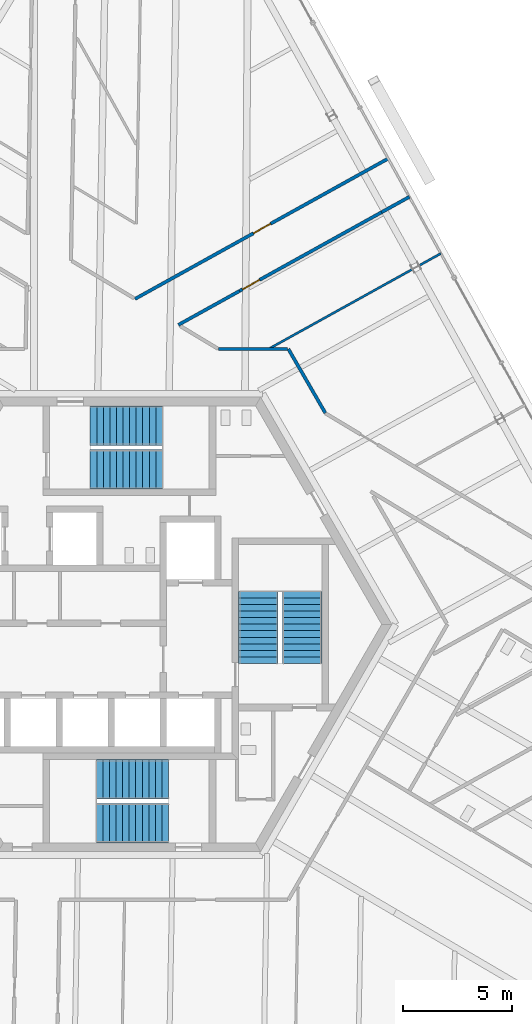
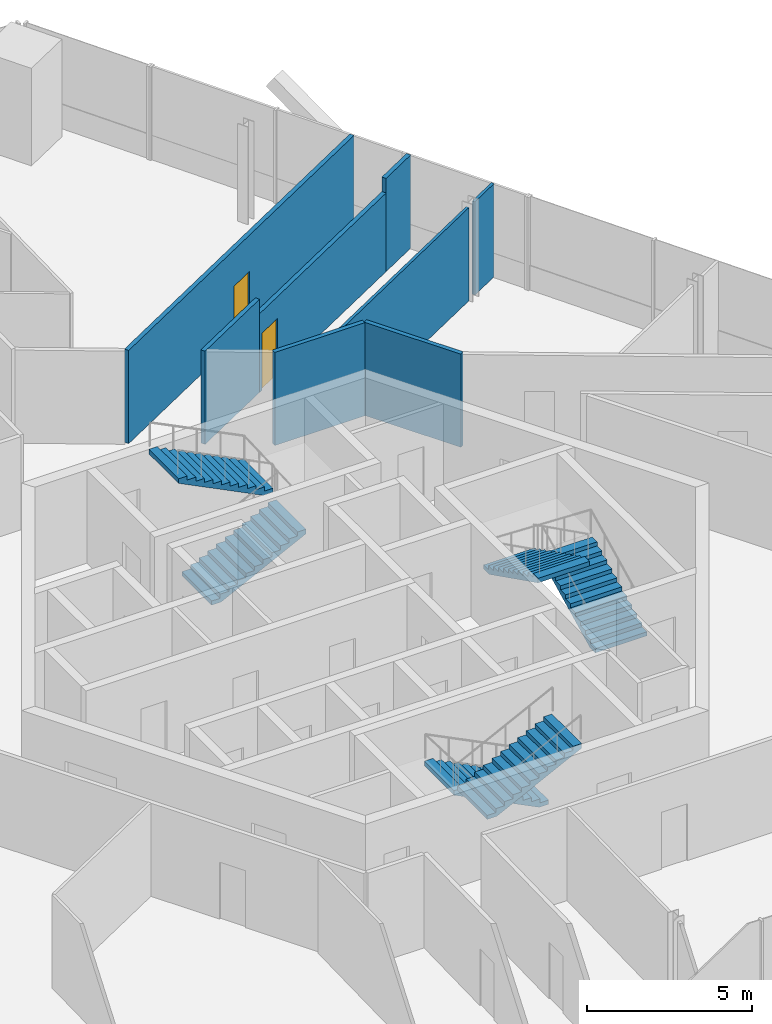
# One storey, part 15 of 19: 8 walls, 6 stair flights, 2 doors, 2 openings, 3 elements without a shape of their own.
"""IFC4 building model written with IfcOpenShell, lengths in metres."""

from ifc_helpers import new_model, si_unit, direction, frame, frame_2d, origin, place, context, subcontext, project, spatial, polyline, rectangle, outline, extrude, source, transform, mapped, material, layer, layer_set, type_object, element, fill, aggregate, save


model = new_model("IFC4")

# Units and contexts
model_context = context("Model", 3, precision=1e-05, world=origin(), true_north=direction((0.0, 1.0)))
body_context = subcontext(model_context, "Body", "Model", "MODEL_VIEW")
ifc_project = project(units=[si_unit("LENGTHUNIT", "METRE"), si_unit("AREAUNIT", "SQUARE_METRE"), si_unit("VOLUMEUNIT", "CUBIC_METRE"), si_unit("PLANEANGLEUNIT", "RADIAN"), si_unit("MASSUNIT", "GRAM", prefix="KILO")], contexts=[model_context])

# Site, building, storey
site_placement = place(None, origin())
site = spatial("IfcSite", under=ifc_project, at=site_placement, CompositionType="ELEMENT")
building_placement = place(site_placement, origin())
building = spatial("IfcBuilding", under=site, at=building_placement, Name="Triune Harvest Tower", CompositionType="ELEMENT")
storey_placement = place(building_placement, frame((0.0, 0.0, 205.10009765625)))
storey = spatial("IfcBuildingStorey", under=building, at=storey_placement, Name="L53", CompositionType="ELEMENT", Elevation=205.10009765625)

# Wall, opening, door
ifc_material_1 = material(Name="Gypsum board on steel studs", Category="steel")
ifc_layer_1 = layer(ifc_material_1, 0.14990234375)
ifc_layer_set_1 = layer_set([ifc_layer_1], Name="Gypsum board on steel studs")
wall_type_1 = type_object("IfcWallType", Name="Fire Partition 150 mm", PredefinedType="PARTITIONING", material=ifc_layer_set_1)
wall_1_placement = place(storey_placement, frame((5.0380859375, 15.24462890625, 0.0), z_axis=(0.0, 0.0, 1.0), x_axis=(0.874622147994, 0.484805216803, 0.0)))
wall_1 = element("IfcWall", 1, at=wall_1_placement, inside=storey, type_object=wall_type_1, Name="Partition L53 036a", PredefinedType="PARTITIONING", context=body_context, shape_type="SweptSolid", body=[
    extrude(rectangle(XDim=7.42529296875, YDim=0.14990234375, at=frame_2d((3.712646484375, 0.0))), origin(), (0.0, 0.0, 1.0), 2.90380859375),
])
opening_1_placement = place(wall_1_placement, frame((0.14990234375, 0.0, 0.0)))
opening_1 = element("IfcOpeningElement", 2, at=opening_1_placement, cuts=wall_1, Name="Opening L53-009", PredefinedType="OPENING", context=body_context, shape_type="SweptSolid", body=[
    extrude(rectangle(XDim=0.89990234375, YDim=2.10009765625, at=frame_2d((0.449951171875, 1.050048828125))), frame((0.0, 0.0849609375, 0.0), z_axis=(0.0, -1.0, 0.0), x_axis=(1.0, 0.0, 0.0)), (0.0, 0.0, 1.0), 0.169921875),
])
ifc_material_2 = material(Name="Timber and steel door set", Category="steel")
door_type = type_object("IfcDoorType", Name="Single leaf door FD30 right hand 900 x 2100", OperationType="SINGLE_SWING_RIGHT", PredefinedType="DOOR", material=ifc_material_2)
door_1_placement = place(opening_1_placement, origin())
door_1 = element("IfcDoor", 3, at=door_1_placement, inside=storey, type_object=door_type, Name="Door L53-009 Office 53.09", OperationType="SINGLE_SWING_RIGHT", OverallHeight=2.10009765625, OverallWidth=0.89990234375, PredefinedType="DOOR", context=body_context, shape_type="SweptSolid", body=[
    extrude(rectangle(XDim=0.89990234375, YDim=2.10009765625, at=frame_2d((0.449951171875, 1.050048828125))), frame((0.0, 0.02490234375, 0.0), z_axis=(0.0, -1.0, 0.0), x_axis=(1.0, 0.0, 0.0)), (0.0, 0.0, 1.0), 0.050048828125),
])
fill(opening_1, door_1)

wall_2_placement = place(storey_placement, frame((0.259765625, 14.8828125, 0.0), z_axis=(0.0, 0.0, 1.0), x_axis=(0.874618930779, 0.484811020835, 0.0)))
wall_2 = element("IfcWall", 4, at=wall_2_placement, inside=storey, type_object=wall_type_1, Name="Partition L53 039", PredefinedType="PARTITIONING", context=body_context, shape_type="SweptSolid", body=[
    extrude(rectangle(XDim=13.234619140625, YDim=0.14990234375, at=frame_2d((6.6171875, 0.0))), origin(), (0.0, 0.0, 1.0), 3.43994140625),
])
opening_2_placement = place(wall_2_placement, frame((6.1845703125, 0.0, 0.0)))
opening_2 = element("IfcOpeningElement", 5, at=opening_2_placement, cuts=wall_2, Name="Opening L53-008", PredefinedType="OPENING", context=body_context, shape_type="SweptSolid", body=[
    extrude(rectangle(XDim=0.89990234375, YDim=2.10009765625, at=frame_2d((0.449951171875, 1.050048828125))), frame((0.0, 0.0849609375, 0.0), z_axis=(0.0, -1.0, 0.0), x_axis=(1.0, 0.0, 0.0)), (0.0, 0.0, 1.0), 0.169921875),
])
door_2_placement = place(opening_2_placement, origin())
door_2 = element("IfcDoor", 6, at=door_2_placement, inside=storey, type_object=door_type, Name="Door L53-008 Office 53.08", OperationType="SINGLE_SWING_RIGHT", OverallHeight=2.10009765625, OverallWidth=0.89990234375, PredefinedType="DOOR", context=body_context, shape_type="SweptSolid", body=[
    extrude(rectangle(XDim=0.89990234375, YDim=2.10009765625, at=frame_2d((0.449951171875, 1.050048828125))), frame((0.0, 0.02490234375, 0.0), z_axis=(0.0, -1.0, 0.0), x_axis=(1.0, 0.0, 0.0)), (0.0, 0.0, 1.0), 0.050048828125),
])
fill(opening_2, door_2)

# Walls
ifc_material_3 = material(Name="Gypsum board on steel studs", Category="steel")
ifc_layer_2 = layer(ifc_material_3, 0.10009765625)
ifc_layer_set_2 = layer_set([ifc_layer_2], Name="Gypsum board on steel studs")
wall_type_2 = type_object("IfcWallType", Name="Partition 100 mm", PredefinedType="PARTITIONING", material=ifc_layer_set_2)
shared_shape_1 = source(origin(), body_context, "Body", "SweptSolid", [
    extrude(rectangle(XDim=1.130615234375, YDim=0.10009765625, at=frame_2d((0.5654296875, 0.0))), origin(), (0.0, 0.0, 1.0), 3.43994140625),
])
wall_3_placement = place(storey_placement, frame((13.252685546875, 16.40966796875, 0.0), z_axis=(0.0, 0.0, 1.0), x_axis=(0.874615280468, 0.484817606087, 0.0)))
element("IfcWall", 7, at=wall_3_placement, inside=storey, type_object=wall_type_2, Name="Partition L53 034", PredefinedType="PARTITIONING", context=body_context, shape_type="MappedRepresentation", body=[
    mapped(shared_shape_1, transform((0.0, 0.0, 0.0), scale=1.0)),
])
shared_shape_2 = source(origin(), body_context, "Body", "SweptSolid", [
    extrude(rectangle(XDim=3.377685546875, YDim=0.14990234375, at=frame_2d((1.68896484375, 0.0))), origin(), (0.0, 0.0, 1.0), 3.43994140625),
])
wall_4_placement = place(storey_placement, frame((7.270263671875, 12.59228515625, 0.0), z_axis=(0.0, 0.0, 1.0), x_axis=(0.499956039503, -0.866050782901, 0.0)))
element("IfcWall", 8, at=wall_4_placement, inside=storey, type_object=wall_type_1, Name="Partition L53 003", PredefinedType="PARTITIONING", context=body_context, shape_type="MappedRepresentation", body=[
    mapped(shared_shape_2, transform((0.0, 0.0, 0.0), scale=1.0)),
])
shared_shape_3 = source(origin(), body_context, "Body", "SweptSolid", [
    extrude(rectangle(XDim=1.45458984375, YDim=0.14990234375, at=frame_2d((0.727294921875, 0.0))), origin(), (0.0, 0.0, 1.0), 3.43994140625),
])
wall_5_placement = place(storey_placement, frame((11.532470703125, 18.844482421875, 0.0), z_axis=(0.0, 0.0, 1.0), x_axis=(0.874584439846, 0.484873238671, 0.0)))
element("IfcWall", 9, at=wall_5_placement, inside=storey, type_object=wall_type_1, Name="Partition L53 036b", PredefinedType="PARTITIONING", context=body_context, shape_type="MappedRepresentation", body=[
    mapped(shared_shape_3, transform((0.0, 0.0, 0.0), scale=1.0)),
])
shared_shape_4 = source(origin(), body_context, "Body", "SweptSolid", [
    extrude(rectangle(XDim=3.1484375, YDim=0.14990234375, at=frame_2d((1.57421875, 0.0))), origin(), (0.0, 0.0, 1.0), 3.43994140625),
])
wall_6_placement = place(storey_placement, frame((4.07177734375, 12.59228515625, 0.0), z_axis=(0.0, 0.0, 1.0), x_axis=(1.0, 0.0, 0.0)))
element("IfcWall", 10, at=wall_6_placement, inside=storey, type_object=wall_type_1, Name="Partition L53 024", PredefinedType="PARTITIONING", context=body_context, shape_type="MappedRepresentation", body=[
    mapped(shared_shape_4, transform((0.0, 0.0, 0.0), scale=1.0)),
])
shared_shape_5 = source(origin(), body_context, "Body", "SweptSolid", [
    extrude(rectangle(XDim=7.530517578125, YDim=0.10009765625, at=frame_2d((3.76513671875, 0.0))), origin(), (0.0, 0.0, 1.0), 3.43994140625),
])
wall_7_placement = place(storey_placement, frame((6.365966796875, 12.59228515625, 0.0), z_axis=(0.0, 0.0, 1.0), x_axis=(0.874621763514, 0.48480591043, 0.0)))
element("IfcWall", 11, at=wall_7_placement, inside=storey, type_object=wall_type_2, Name="Partition L53 033", PredefinedType="PARTITIONING", context=body_context, shape_type="MappedRepresentation", body=[
    mapped(shared_shape_5, transform((0.0, 0.0, 0.0), scale=1.0)),
])
shared_shape_6 = source(origin(), body_context, "Body", "SweptSolid", [
    extrude(rectangle(XDim=3.19970703125, YDim=0.14990234375, at=frame_2d((1.599853515625, 0.0))), origin(), (0.0, 0.0, 1.0), 3.43994140625),
])
wall_8_placement = place(storey_placement, frame((2.239501953125, 13.693359375, 0.0), z_axis=(0.0, 0.0, 1.0), x_axis=(0.874621151909, 0.484807013804, 0.0)))
element("IfcWall", 12, at=wall_8_placement, inside=storey, type_object=wall_type_1, Name="Partition L53 036", PredefinedType="PARTITIONING", context=body_context, shape_type="MappedRepresentation", body=[
    mapped(shared_shape_6, transform((0.0, 0.0, 0.0), scale=1.0)),
])

# Stair, stair flights
ifc_material_4 = material(Name="Concrete 40 MPa", Category="concrete")
stair_type = type_object("IfcStairType", Name="Exit stair 1800 half turn", PredefinedType="HALF_TURN_STAIR", material=ifc_material_4)
stair_1_placement = place(storey_placement, origin())
stair_1 = element("IfcStair", 13, at=stair_1_placement, inside=storey, type_object=stair_type, Name="Exit stair north", PredefinedType="HALF_TURN_STAIR")
ifc_material_5 = material(Name="Concrete 40 MPa", Category="concrete")
stair_flight_type = type_object("IfcStairFlightType", Name="Stair flight 1800", PredefinedType="STRAIGHT", material=ifc_material_5)
shared_shape_7 = source(origin(), body_context, "Body", "SweptSolid", [
    extrude(outline(polyline([(0.0, 0.0), (0.0, 0.14990234375), (0.300048828125, 0.14990234375), (0.300048828125, 0.300048828125), (0.60009765625, 0.300048828125), (0.60009765625, 0.449951171875), (0.89990234375, 0.449951171875), (0.89990234375, 0.60009765625), (1.199951171875, 0.60009765625), (1.199951171875, 0.75), (1.5, 0.75), (1.5, 0.89990234375), (1.800048828125, 0.89990234375), (1.800048828125, 1.050048828125), (2.10009765625, 1.050048828125), (2.10009765625, 1.199951171875), (2.39990234375, 1.199951171875), (2.39990234375, 1.35009765625), (2.699951171875, 1.35009765625), (2.699951171875, 1.5), (3.0, 1.5), (3.0, 1.64990234375), (3.300048828125, 1.64990234375), (3.300048828125, 1.800048828125), (3.300048828125, 1.482421875), (0.335205078125, 0.0), (0.0, 0.0)])), frame((0.0, 0.89990234375, 0.0), z_axis=(0.0, -1.0, 0.0), x_axis=(1.0, 0.0, 0.0)), (0.0, 0.0, 1.0), 1.800048828125),
])
stair_flight_1_placement = place(storey_placement, frame((-1.7900390625, 7.090087890625, 0.0), z_axis=(0.0, 0.0, 1.0), x_axis=(1.0, 0.0, 0.0)))
stair_flight_1 = element("IfcStairFlight", 14, at=stair_flight_1_placement, type_object=stair_flight_type, Name="ST-1 flight 1", NumberOfRisers=12, NumberOfTreads=11, PredefinedType="STRAIGHT", RiserHeight=0.15, TreadLength=0.3, context=body_context, shape_type="MappedRepresentation", body=[
    mapped(shared_shape_7, transform((0.0, 0.0, 0.0), scale=1.0)),
])
stair_flight_2_placement = place(storey_placement, frame((1.510009765625, 9.090087890625, 1.7998046875), z_axis=(0.0, 0.0, 1.0), x_axis=(-1.0, 0.0, 0.0)))
stair_flight_2 = element("IfcStairFlight", 15, at=stair_flight_2_placement, type_object=stair_flight_type, Name="ST-1 flight 2", NumberOfRisers=12, NumberOfTreads=11, PredefinedType="STRAIGHT", RiserHeight=0.15, TreadLength=0.3, context=body_context, shape_type="MappedRepresentation", body=[
    mapped(shared_shape_7, transform((0.0, 0.0, 0.0), scale=1.0)),
])
aggregate(stair_1, [stair_flight_1, stair_flight_2])

stair_2_placement = place(storey_placement, origin())
stair_2 = element("IfcStair", 16, at=stair_2_placement, inside=storey, type_object=stair_type, Name="Exit stair south", PredefinedType="HALF_TURN_STAIR")
stair_flight_3_placement = place(storey_placement, frame((1.7900390625, -7.090087890625, 0.0), z_axis=(0.0, 0.0, 1.0), x_axis=(-1.0, 0.0, 0.0)))
stair_flight_3 = element("IfcStairFlight", 17, at=stair_flight_3_placement, type_object=stair_flight_type, Name="ST-2 flight 1", NumberOfRisers=12, NumberOfTreads=11, PredefinedType="STRAIGHT", RiserHeight=0.15, TreadLength=0.3, context=body_context, shape_type="MappedRepresentation", body=[
    mapped(shared_shape_7, transform((0.0, 0.0, 0.0), scale=1.0)),
])
stair_flight_4_placement = place(storey_placement, frame((-1.510009765625, -9.090087890625, 1.7998046875), z_axis=(0.0, 0.0, 1.0), x_axis=(1.0, 0.0, 0.0)))
stair_flight_4 = element("IfcStairFlight", 18, at=stair_flight_4_placement, type_object=stair_flight_type, Name="ST-2 flight 2", NumberOfRisers=12, NumberOfTreads=11, PredefinedType="STRAIGHT", RiserHeight=0.15, TreadLength=0.3, context=body_context, shape_type="MappedRepresentation", body=[
    mapped(shared_shape_7, transform((0.0, 0.0, 0.0), scale=1.0)),
])
aggregate(stair_2, [stair_flight_3, stair_flight_4])

stair_3_placement = place(storey_placement, origin())
stair_3 = element("IfcStair", 19, at=stair_3_placement, inside=storey, type_object=stair_type, Name="Exit stair east", PredefinedType="HALF_TURN_STAIR")
stair_flight_5_placement = place(storey_placement, frame((7.89990234375, -1.7900390625, 0.0), z_axis=(0.0, 0.0, 1.0), x_axis=(0.0, 1.0, 0.0)))
stair_flight_5 = element("IfcStairFlight", 20, at=stair_flight_5_placement, type_object=stair_flight_type, Name="ST-3 flight 1", NumberOfRisers=12, NumberOfTreads=11, PredefinedType="STRAIGHT", RiserHeight=0.15, TreadLength=0.3, context=body_context, shape_type="MappedRepresentation", body=[
    mapped(shared_shape_7, transform((0.0, 0.0, 0.0), scale=1.0)),
])
stair_flight_6_placement = place(storey_placement, frame((5.89990234375, 1.510009765625, 1.7998046875), z_axis=(0.0, 0.0, 1.0), x_axis=(0.0, -1.0, 0.0)))
stair_flight_6 = element("IfcStairFlight", 21, at=stair_flight_6_placement, type_object=stair_flight_type, Name="ST-3 flight 2", NumberOfRisers=12, NumberOfTreads=11, PredefinedType="STRAIGHT", RiserHeight=0.15, TreadLength=0.3, context=body_context, shape_type="MappedRepresentation", body=[
    mapped(shared_shape_7, transform((0.0, 0.0, 0.0), scale=1.0)),
])
aggregate(stair_3, [stair_flight_5, stair_flight_6])

save(model, "model.ifc")
